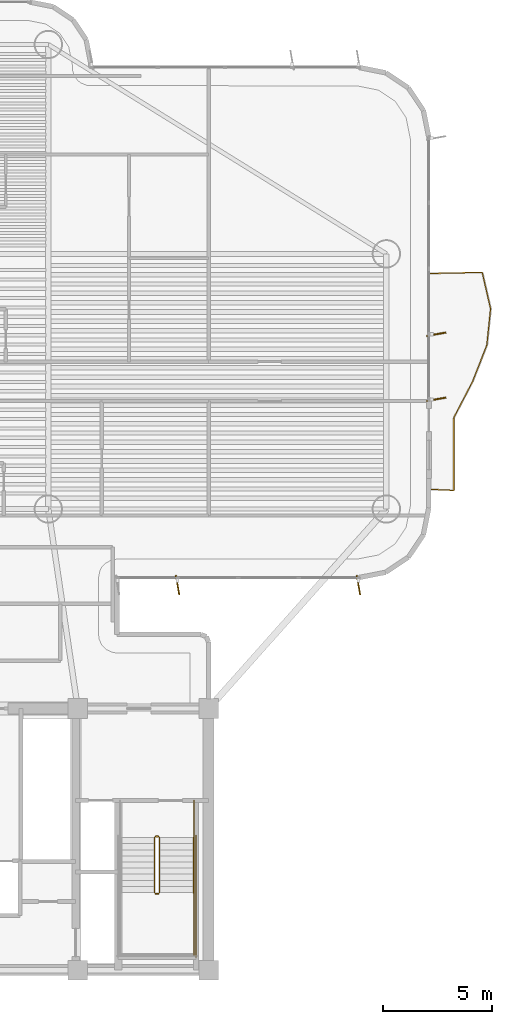
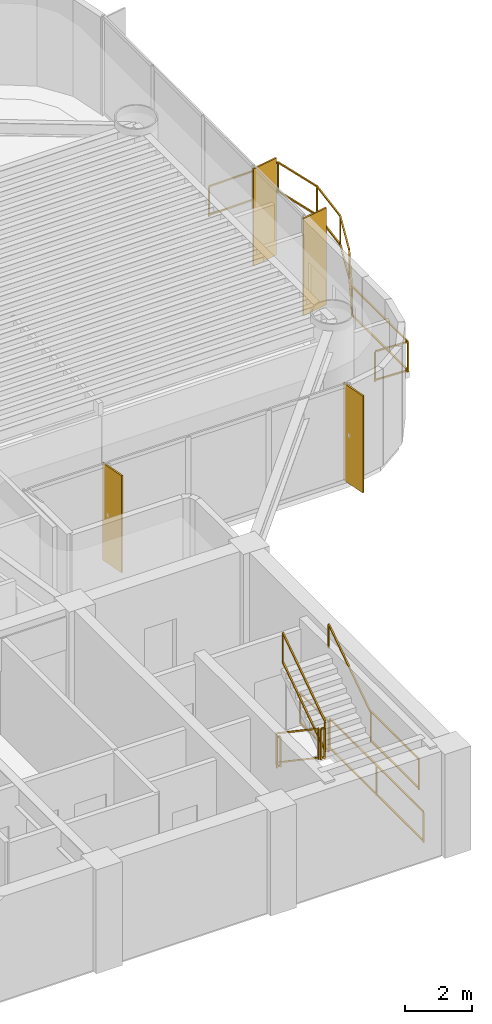
# One storey, part 16 of 17: 9 railings, 4 shading devices.
"""IFC4 building model written with IfcOpenShell, lengths in metres."""

import ifcopenshell
import ifcopenshell.guid

model = None  # the IFC model being written
_history = None  # IfcOwnerHistory: only IFC2X3 demands one
_inside = {}  # id of a spatial element -> (the spatial element, [elements in it])
_under = {}  # id of a project, library or spatial element -> (it, [spatial elements below it])
_declared = {}  # id of a project -> (the project, [libraries it declares])
_typed = {}  # id of a type object -> (the type object, [elements of that type])
_made_of = {}  # id of a material, layer set ... -> (it, [elements and type objects made of it])


def new_model(schema):
    """Start an empty IFC model of exactly this schema.

    Asked for "IFC4X3", IfcOpenShell would pick the latest addendum, in which some entities
    have other attributes; the version numbers below select the first issue.
    IFC2X3 requires an IfcOwnerHistory on every rooted entity: one is made here for all.
    """
    global model, _history
    if schema == "IFC4X3":
        model = ifcopenshell.file(schema_version=(4, 3, 0, 0))
    else:
        model = ifcopenshell.file(schema=schema)
    _inside.clear()
    _under.clear()
    _declared.clear()
    _typed.clear()
    _made_of.clear()
    _history = None
    if model.schema == "IFC2X3":
        org = make("IfcOrganization", Name="unknown")
        user = make(
            "IfcPersonAndOrganization",
            ThePerson=make("IfcPerson", FamilyName="unknown"),
            TheOrganization=org,
        )
        app = make(
            "IfcApplication",
            ApplicationDeveloper=org,
            Version="unknown",
            ApplicationFullName="unknown",
            ApplicationIdentifier="unknown",
        )
        _history = make(
            "IfcOwnerHistory",
            OwningUser=user,
            OwningApplication=app,
            ChangeAction="ADDED",
            CreationDate=0,
        )
    return model


def make(cls, **values):
    """One entity of the class cls with the attributes given. An attribute that is None is left unset."""
    return model.create_entity(
        cls, **{name: value for name, value in values.items() if value is not None}
    )


def rooted(cls, **values):
    """An entity with a GlobalId (a new one), such as an element, a storey or a relation."""
    return make(cls, GlobalId=ifcopenshell.guid.new(), OwnerHistory=_history, **values)


def si_unit(unit_type, name, prefix=None):
    """IfcSIUnit, for example si_unit("LENGTHUNIT", "METRE", prefix="MILLI")."""
    return make("IfcSIUnit", UnitType=unit_type, Prefix=prefix, Name=name)


def assignment(units):
    """IfcUnitAssignment: the units of a project."""
    return None if units is None else make("IfcUnitAssignment", Units=units)


def point(xyz):
    """IfcCartesianPoint."""
    return None if xyz is None else make("IfcCartesianPoint", Coordinates=xyz)


def direction(xyz):
    """IfcDirection."""
    return None if xyz is None else make("IfcDirection", DirectionRatios=xyz)


def frame(location, z_axis=None, x_axis=None):
    """IfcAxis2Placement3D, a coordinate frame: its origin and axes. An axis left out is left unset."""
    return make(
        "IfcAxis2Placement3D",
        Location=point(location),
        Axis=direction(z_axis),
        RefDirection=direction(x_axis),
    )


def frame_2d(location, x_axis=None):
    """IfcAxis2Placement2D, a coordinate frame in the plane: its origin and x axis."""
    return make(
        "IfcAxis2Placement2D", Location=point(location), RefDirection=direction(x_axis)
    )


def origin():
    """The frame at (0, 0, 0) with its axes left unset."""
    return frame((0.0, 0.0, 0.0))


def origin_2d():
    """The frame at (0, 0) in the plane with its x axis left unset."""
    return frame_2d((0.0, 0.0))


def place(relative_to, where):
    """IfcLocalPlacement: puts the frame where relative to a parent placement (None: the world)."""
    return make(
        "IfcLocalPlacement", PlacementRelTo=relative_to, RelativePlacement=where
    )


def context(
    kind, dimensions, precision=None, world=None, true_north=None, identifier=None
):
    """IfcGeometricRepresentationContext, for example the 3D "Model" context."""
    return make(
        "IfcGeometricRepresentationContext",
        ContextIdentifier=identifier,
        ContextType=kind,
        CoordinateSpaceDimension=dimensions,
        Precision=precision,
        WorldCoordinateSystem=world,
        TrueNorth=true_north,
    )


def subcontext(parent, identifier, kind, view, scale=None):
    """IfcGeometricRepresentationSubContext, for example "Body" below "Model"."""
    return make(
        "IfcGeometricRepresentationSubContext",
        ContextIdentifier=identifier,
        ContextType=kind,
        ParentContext=parent,
        TargetScale=scale,
        TargetView=view,
    )


def project(units=None, contexts=None):
    """IfcProject with its units and contexts."""
    return rooted(
        "IfcProject",
        Name="project",
        RepresentationContexts=contexts,
        UnitsInContext=assignment(units),
    )


def spatial(cls, under=None, at=None, **own):
    """A site, building, storey or space (cls), placed at a placement, below another one or the project."""
    s = rooted(cls, ObjectPlacement=at, **own)
    if under is not None:
        _under.setdefault(under.id(), (under, []))[1].append(s)
    return s


def profile(cls, at=None, kind="AREA", **sizes):
    """A parametric profile (cls). Its sizes go by their IFC names, for example OverallWidth=200.0."""
    return make(cls, ProfileType=kind, Position=at, **sizes)


def rectangle(**sizes):
    """IfcRectangleProfileDef."""
    return profile("IfcRectangleProfileDef", **sizes)


def extrude(swept, where, along, depth):
    """IfcExtrudedAreaSolid: the profile swept, set in the frame where, extruded along a direction by depth."""
    return make(
        "IfcExtrudedAreaSolid",
        SweptArea=swept,
        Position=where,
        ExtrudedDirection=direction(along),
        Depth=depth,
    )


def shape(context_of_items, identifier, shape_type, items):
    """IfcShapeRepresentation: the items that make up one representation, for example the "Body"."""
    return make(
        "IfcShapeRepresentation",
        ContextOfItems=context_of_items,
        RepresentationIdentifier=identifier,
        RepresentationType=shape_type,
        Items=items,
    )


def source(mapping_origin, context_of_items, identifier, shape_type, items):
    """IfcRepresentationMap: a shape defined once, which mapped items show again and again."""
    return make(
        "IfcRepresentationMap",
        MappingOrigin=mapping_origin,
        MappedRepresentation=shape(context_of_items, identifier, shape_type, items),
    )


def transform(
    local_origin,
    x_axis=None,
    y_axis=None,
    z_axis=None,
    scale=None,
    scale2=None,
    scale3=None,
    uniform=True,
):
    """IfcCartesianTransformationOperator3D, or its non-uniform kind. x_axis, y_axis, z_axis: its Axis1, 2, 3."""
    if uniform:
        return make(
            "IfcCartesianTransformationOperator3D",
            Axis1=direction(x_axis),
            Axis2=direction(y_axis),
            LocalOrigin=point(local_origin),
            Scale=scale,
            Axis3=direction(z_axis),
        )
    return make(
        "IfcCartesianTransformationOperator3DnonUniform",
        Axis1=direction(x_axis),
        Axis2=direction(y_axis),
        LocalOrigin=point(local_origin),
        Scale=scale,
        Axis3=direction(z_axis),
        Scale2=scale2,
        Scale3=scale3,
    )


def mapped(mapping_source, mapping_target):
    """IfcMappedItem: shows the shape of a source again, moved by a transform."""
    return make(
        "IfcMappedItem", MappingSource=mapping_source, MappingTarget=mapping_target
    )


def material(Name=None, Category=None):
    """IfcMaterial."""
    return make("IfcMaterial", Name=Name, Category=Category)


def layer(
    of_material, thickness, ventilated=None, Name=None, Category=None, Priority=None
):
    """IfcMaterialLayer: one layer of a wall or slab, of a material (None: an air gap)."""
    return make(
        "IfcMaterialLayer",
        Material=of_material,
        LayerThickness=thickness,
        IsVentilated=ventilated,
        Name=Name,
        Category=Category,
        Priority=Priority,
    )


def layer_set(layers, Name=None):
    """IfcMaterialLayerSet."""
    return make("IfcMaterialLayerSet", MaterialLayers=layers, LayerSetName=Name)


def material_profile(
    of_material, cross_section, Name=None, Category=None, Priority=None
):
    """IfcMaterialProfile: a cross section and its material."""
    return make(
        "IfcMaterialProfile",
        Name=Name,
        Material=of_material,
        Profile=cross_section,
        Priority=Priority,
        Category=Category,
    )


def profile_set(profiles, Name=None, composite=None):
    """IfcMaterialProfileSet."""
    return make(
        "IfcMaterialProfileSet",
        Name=Name,
        MaterialProfiles=profiles,
        CompositeProfile=composite,
    )


def made_of(thing, what):
    """Note that an element or type object is made of a material, layer set ...; save() writes the relation."""
    if what is not None:
        _made_of.setdefault(what.id(), (what, []))[1].append(thing)
    return thing


def type_object(cls, material=None, **own):
    """A type object (cls), such as IfcWallType, which elements share."""
    return made_of(rooted(cls, **own), material)


def element(
    cls,
    number,
    at=None,
    inside=None,
    cuts=None,
    type_object=None,
    material=None,
    context=None,
    identifier="Body",
    shape_type=None,
    held_by="IfcProductDefinitionShape",
    body=None,
    shapes=None,
    **own,
):
    """One element of the class cls, such as IfcWall. Its Tag is "e" and its number.

    at: its placement. inside: the storey or other place that contains it. cuts: it is an
    opening in that element (IfcRelVoidsElement). A single representation is given by context,
    identifier, shape_type and body (its items); several are given by shapes. held_by: the class
    of the entity that holds the representations. save() writes the other relations.
    """
    e = rooted(cls, Tag="e%d" % number, ObjectPlacement=at, **own)
    if body is not None:
        shapes = [shape(context, identifier, shape_type, body)]
    if shapes is not None:
        e.Representation = make(held_by, Representations=shapes)
    if inside is not None:
        _inside.setdefault(inside.id(), (inside, []))[1].append(e)
    if cuts is not None:
        rooted(
            "IfcRelVoidsElement", RelatingBuildingElement=cuts, RelatedOpeningElement=e
        )
    if type_object is not None:
        _typed.setdefault(type_object.id(), (type_object, []))[1].append(e)
    return made_of(e, material)


def aggregate(whole, parts):
    """IfcRelAggregates: a whole, such as a stair, and the parts it consists of."""
    return rooted("IfcRelAggregates", RelatingObject=whole, RelatedObjects=parts)


def save(model, path):
    """Write the relations noted so far, then the file.

    IfcRelAggregates (storeys below a building ...), IfcRelContainedInSpatialStructure (elements
    in a storey), IfcRelDefinesByType, IfcRelAssociatesMaterial and IfcRelDeclares: one each for
    every whole, place, type object, material and project.
    """
    for whole, parts in _under.values():
        aggregate(whole, parts)
    for where, things in _inside.values():
        rooted(
            "IfcRelContainedInSpatialStructure",
            RelatedElements=things,
            RelatingStructure=where,
        )
    for kind, things in _typed.values():
        rooted("IfcRelDefinesByType", RelatedObjects=things, RelatingType=kind)
    for what, things in _made_of.values():
        rooted("IfcRelAssociatesMaterial", RelatedObjects=things, RelatingMaterial=what)
    for by, libraries in _declared.values():
        rooted("IfcRelDeclares", RelatingContext=by, RelatedDefinitions=libraries)
    model.write(path)


model = new_model("IFC4")

# Units and contexts
model_context = context("Model", 3, precision=1e-05, world=origin(), true_north=direction((0.0, 1.0)))
body_context = subcontext(model_context, "Body", "Model", "MODEL_VIEW")
ifc_project = project(units=[si_unit("LENGTHUNIT", "METRE"), si_unit("AREAUNIT", "SQUARE_METRE"), si_unit("VOLUMEUNIT", "CUBIC_METRE"), si_unit("PLANEANGLEUNIT", "RADIAN"), si_unit("MASSUNIT", "GRAM", prefix="KILO")], contexts=[model_context])

# Site, building, storey
site_placement = place(None, origin())
site = spatial("IfcSite", under=ifc_project, at=site_placement, CompositionType="ELEMENT")
building_placement = place(site_placement, origin())
building = spatial("IfcBuilding", under=site, at=building_placement, Name="Brelvock Crest Care Tower", CompositionType="ELEMENT")
storey_placement = place(building_placement, frame((0.0, 0.0, 93.60009765625)))
storey = spatial("IfcBuildingStorey", under=building, at=storey_placement, Name="L23", CompositionType="ELEMENT", Elevation=93.60009765625)

# Railings
ifc_material_1 = material(Name="Dark Glass Double Glazed Low-E", Category="glass")
ifc_layer_1 = layer(ifc_material_1, 0.06005859375, Name="RL-BAL1")
ifc_layer_set_1 = layer_set([ifc_layer_1], Name="Dark Glass Double Glazed Low-E")
railing_type_1 = type_object("IfcRailingType", Name="RL-BAL1", PredefinedType="BALUSTRADE", material=ifc_layer_set_1)
railing_1_placement = place(storey_placement, frame((58.139892578125, 28.050048828125, 0.00390625)))
element("IfcRailing", 1, at=railing_1_placement, inside=storey, type_object=railing_type_1, Name="L23 Safety Balustrade WB-E", PredefinedType="BALUSTRADE", context=body_context, shape_type="SweptSolid", body=[
    extrude(rectangle(XDim=0.048095703125, YDim=0.048095703125, at=origin_2d()), frame((0.001953125, 0.0, 1.09619140625), z_axis=(0.998966710972, -0.045447886318, 0.0), x_axis=(0.045447886318, 0.998966710972, 0.0)), (0.0, 0.0, 1.0), 1.09716796875),
    extrude(rectangle(XDim=0.048095703125, YDim=0.048095703125, at=origin_2d()), frame((0.001953125, 0.0, 0.054931640625), z_axis=(0.998966710972, -0.045447886318, 0.0), x_axis=(0.045447886318, 0.998966710972, 0.0)), (0.0, 0.0, 1.0), 1.09716796875),
    extrude(rectangle(XDim=0.048095703125, YDim=0.048095703125, at=origin_2d()), frame((1.10009765625, -0.048095703125, 1.09619140625), z_axis=(0.00014648795, 0.999999989271, 0.0), x_axis=(-0.999999989271, 0.00014648795, 0.0)), (0.0, 0.0, 1.0), 3.329345703125),
    extrude(rectangle(XDim=0.048095703125, YDim=0.048095703125, at=origin_2d()), frame((1.10009765625, -0.048095703125, 0.054931640625), z_axis=(0.00014648795, 0.999999989271, 0.0), x_axis=(-0.999999989271, 0.00014648795, 0.0)), (0.0, 0.0, 1.0), 3.329345703125),
    extrude(rectangle(XDim=0.048095703125, YDim=0.048095703125, at=origin_2d()), frame((1.1015625, 3.284912109375, 1.09619140625), z_axis=(0.46114401417, 0.887325305733, 0.0), x_axis=(-0.887325305733, 0.46114401417, 0.0)), (0.0, 0.0, 1.0), 1.87451171875),
    extrude(rectangle(XDim=0.048095703125, YDim=0.048095703125, at=origin_2d()), frame((1.1015625, 3.284912109375, 0.054931640625), z_axis=(0.46114401417, 0.887325305733, 0.0), x_axis=(-0.887325305733, 0.46114401417, 0.0)), (0.0, 0.0, 1.0), 1.87451171875),
    extrude(rectangle(XDim=0.048095703125, YDim=0.048095703125, at=origin_2d()), frame((1.967529296875, 4.951904296875, 1.09619140625), z_axis=(0.364466206994, 0.93121661495, 0.0), x_axis=(-0.93121661495, 0.364466206994, 0.0)), (0.0, 0.0, 1.0), 1.785888671875),
    extrude(rectangle(XDim=0.048095703125, YDim=0.048095703125, at=origin_2d()), frame((1.967529296875, 4.951904296875, 0.054931640625), z_axis=(0.364466206994, 0.93121661495, 0.0), x_axis=(-0.93121661495, 0.364466206994, 0.0)), (0.0, 0.0, 1.0), 1.785888671875),
    extrude(rectangle(XDim=0.048095703125, YDim=0.048095703125, at=origin_2d()), frame((2.619384765625, 6.61865234375, 1.09619140625), z_axis=(0.101148651987, 0.994871323439, 0.0), x_axis=(-0.994871323439, 0.101148651987, 0.0)), (0.0, 0.0, 1.0), 1.671142578125),
    extrude(rectangle(XDim=0.048095703125, YDim=0.048095703125, at=origin_2d()), frame((2.619384765625, 6.61865234375, 0.054931640625), z_axis=(0.101148651987, 0.994871323439, 0.0), x_axis=(-0.994871323439, 0.101148651987, 0.0)), (0.0, 0.0, 1.0), 1.671142578125),
    extrude(rectangle(XDim=0.048095703125, YDim=0.048095703125, at=origin_2d()), frame((2.7880859375, 8.28515625, 1.09619140625), z_axis=(-0.22439035679, 0.974499342114, 0.0), x_axis=(-0.974499342114, -0.22439035679, 0.0)), (0.0, 0.0, 1.0), 1.706298828125),
    extrude(rectangle(XDim=0.048095703125, YDim=0.048095703125, at=origin_2d()), frame((2.7880859375, 8.28515625, 0.054931640625), z_axis=(-0.22439035679, 0.974499342114, 0.0), x_axis=(-0.974499342114, -0.22439035679, 0.0)), (0.0, 0.0, 1.0), 1.706298828125),
    extrude(rectangle(XDim=0.048095703125, YDim=0.048095703125, at=origin_2d()), frame((2.40283203125, 9.949951171875, 1.09619140625), z_axis=(-0.999783496855, -0.020807676838, 0.0), x_axis=(0.020807676838, -0.999783496855, 0.0)), (0.0, 0.0, 1.0), 2.4013671875),
    extrude(rectangle(XDim=0.048095703125, YDim=0.048095703125, at=origin_2d()), frame((2.40283203125, 9.949951171875, 0.054931640625), z_axis=(-0.999783496855, -0.020807676838, 0.0), x_axis=(0.020807676838, -0.999783496855, 0.0)), (0.0, 0.0, 1.0), 2.4013671875),
    extrude(rectangle(XDim=0.0419921875, YDim=0.0419921875, at=origin_2d()), origin(), (0.0, 0.0, 1.0), 1.070068359375),
    extrude(rectangle(XDim=0.0419921875, YDim=0.0419921875, at=origin_2d()), frame((1.10009765625, -0.050048828125, 0.0)), (0.0, 0.0, 1.0), 1.070068359375),
    extrude(rectangle(XDim=0.0419921875, YDim=0.0419921875, at=origin_2d()), frame((1.1005859375, 3.283203125, 0.0)), (0.0, 0.0, 1.0), 1.070068359375),
    extrude(rectangle(XDim=0.0419921875, YDim=0.0419921875, at=origin_2d()), frame((1.966796875, 4.949951171875, 0.0)), (0.0, 0.0, 1.0), 1.070068359375),
    extrude(rectangle(XDim=0.0419921875, YDim=0.0419921875, at=origin_2d()), frame((2.619140625, 6.61669921875, 0.0)), (0.0, 0.0, 1.0), 1.070068359375),
    extrude(rectangle(XDim=0.0419921875, YDim=0.0419921875, at=origin_2d()), frame((2.78857421875, 8.283203125, 0.0)), (0.0, 0.0, 1.0), 1.070068359375),
    extrude(rectangle(XDim=0.0419921875, YDim=0.0419921875, at=origin_2d()), frame((2.40478515625, 9.949951171875, 0.0)), (0.0, 0.0, 1.0), 1.070068359375),
    extrude(rectangle(XDim=0.0419921875, YDim=0.0419921875, at=origin_2d()), frame((0.0, 9.89990234375, 0.0)), (0.0, 0.0, 1.0), 1.070068359375),
])
ifc_material_2 = material(Name="Steel Grade 350", Category="steel")
ifc_layer_2 = layer(ifc_material_2, 0.050048828125, Name="RL-STG1")
ifc_layer_set_2 = layer_set([ifc_layer_2], Name="Steel Grade 350")
railing_type_2 = type_object("IfcRailingType", Name="RL-STG1", PredefinedType="GUARDRAIL", material=ifc_layer_set_2)
railing_2_placement = place(storey_placement, frame((45.52001953125, 12.080078125, 0.18896484375)))
element("IfcRailing", 2, at=railing_2_placement, inside=storey, type_object=railing_type_2, Name="L23 ST-2 stair guard 1", PredefinedType="GUARDRAIL", context=body_context, shape_type="SweptSolid", body=[
    extrude(rectangle(XDim=0.048095703125, YDim=0.048095703125, at=origin_2d()), frame((0.0, -0.001708984375, 1.116943359375), z_axis=(0.0, -0.828861706735, 0.559453546873), x_axis=(1.0, 0.0, 0.0)), (0.0, 0.0, 1.0), 3.036376953125),
    extrude(rectangle(XDim=0.048095703125, YDim=0.048095703125, at=origin_2d()), frame((0.0, -0.001708984375, 0.05615234375), z_axis=(0.0, -0.828861706735, 0.559453546873), x_axis=(1.0, 0.0, 0.0)), (0.0, 0.0, 1.0), 3.036376953125),
    extrude(rectangle(XDim=0.0419921875, YDim=0.0419921875, at=origin_2d()), origin(), (0.0, 0.0, 1.0), 1.08984375),
    extrude(rectangle(XDim=0.0419921875, YDim=0.0419921875, at=origin_2d()), frame((0.0, -2.52001953125, 1.700927734375)), (0.0, 0.0, 1.0), 1.08984375),
])
railing_3_placement = place(storey_placement, frame((45.570068359375, 9.510009765625, 1.889892578125)))
element("IfcRailing", 3, at=railing_3_placement, inside=storey, type_object=railing_type_2, Name="L23 ST-2 stair guard 2", PredefinedType="GUARDRAIL", context=body_context, shape_type="SweptSolid", body=[
    extrude(rectangle(XDim=0.048095703125, YDim=0.048095703125, at=origin_2d()), frame((0.001953125, 0.0, 1.11572265625), z_axis=(1.0, 0.0, 0.0), x_axis=(0.0, 1.0, 0.0)), (0.0, 0.0, 1.0), 0.115966796875),
    extrude(rectangle(XDim=0.048095703125, YDim=0.048095703125, at=origin_2d()), frame((0.001953125, 0.0, 0.054931640625), z_axis=(1.0, 0.0, 0.0), x_axis=(0.0, 1.0, 0.0)), (0.0, 0.0, 1.0), 0.115966796875),
    extrude(rectangle(XDim=0.0419921875, YDim=0.0419921875, at=origin_2d()), origin(), (0.0, 0.0, 1.0), 1.08984375),
    extrude(rectangle(XDim=0.0419921875, YDim=0.0419921875, at=origin_2d()), frame((0.119873046875, 0.0, 0.0)), (0.0, 0.0, 1.0), 1.08984375),
])
railing_4_placement = place(storey_placement, frame((47.320068359375, 9.56005859375, 1.889892578125)))
element("IfcRailing", 4, at=railing_4_placement, inside=storey, type_object=railing_type_2, Name="L23 ST-2 stair guard 4", PredefinedType="GUARDRAIL", context=body_context, shape_type="SweptSolid", body=[
    extrude(rectangle(XDim=0.048095703125, YDim=0.048095703125, at=origin_2d()), frame((0.0, -0.001953125, 1.11572265625), z_axis=(0.0, -1.0, 0.0), x_axis=(1.0, 0.0, 0.0)), (0.0, 0.0, 1.0), 2.856201171875),
    extrude(rectangle(XDim=0.048095703125, YDim=0.048095703125, at=origin_2d()), frame((0.0, -0.001953125, 0.054931640625), z_axis=(0.0, -1.0, 0.0), x_axis=(1.0, 0.0, 0.0)), (0.0, 0.0, 1.0), 2.856201171875),
    extrude(rectangle(XDim=0.0419921875, YDim=0.0419921875, at=origin_2d()), origin(), (0.0, 0.0, 1.0), 1.08984375),
    extrude(rectangle(XDim=0.0419921875, YDim=0.0419921875, at=origin_2d()), frame((0.0, -2.860107421875, 0.0)), (0.0, 0.0, 1.0), 1.08984375),
])
railing_5_placement = place(storey_placement, frame((45.739990234375, 9.56005859375, 2.078857421875)))
element("IfcRailing", 5, at=railing_5_placement, inside=storey, type_object=railing_type_2, Name="L23 ST-2 stair guard 6", PredefinedType="GUARDRAIL", context=body_context, shape_type="SweptSolid", body=[
    extrude(rectangle(XDim=0.048095703125, YDim=0.048095703125, at=origin_2d()), frame((0.0, 0.001708984375, 1.116943359375), z_axis=(0.0, 0.828861706735, 0.559453546873), x_axis=(-1.0, 0.0, 0.0)), (0.0, 0.0, 1.0), 3.036376953125),
    extrude(rectangle(XDim=0.048095703125, YDim=0.048095703125, at=origin_2d()), frame((0.0, 0.001708984375, 0.05615234375), z_axis=(0.0, 0.828861706735, 0.559453546873), x_axis=(-1.0, 0.0, 0.0)), (0.0, 0.0, 1.0), 3.036376953125),
    extrude(rectangle(XDim=0.0419921875, YDim=0.0419921875, at=origin_2d()), origin(), (0.0, 0.0, 1.0), 1.08984375),
    extrude(rectangle(XDim=0.0419921875, YDim=0.0419921875, at=origin_2d()), frame((0.0, 2.52001953125, 1.700927734375)), (0.0, 0.0, 1.0), 1.08984375),
])
railing_6_placement = place(storey_placement, frame((45.570068359375, 12.1298828125, 0.0)))
element("IfcRailing", 6, at=railing_6_placement, inside=storey, type_object=railing_type_2, Name="L23 ST-2 stair guard 7", PredefinedType="GUARDRAIL", context=body_context, shape_type="SweptSolid", body=[
    extrude(rectangle(XDim=0.048095703125, YDim=0.048095703125, at=origin_2d()), frame((0.001953125, 0.0, 1.11572265625), z_axis=(1.0, 0.0, 0.0), x_axis=(0.0, 1.0, 0.0)), (0.0, 0.0, 1.0), 0.115966796875),
    extrude(rectangle(XDim=0.048095703125, YDim=0.048095703125, at=origin_2d()), frame((0.001953125, 0.0, 0.054931640625), z_axis=(1.0, 0.0, 0.0), x_axis=(0.0, 1.0, 0.0)), (0.0, 0.0, 1.0), 0.115966796875),
    extrude(rectangle(XDim=0.0419921875, YDim=0.0419921875, at=origin_2d()), origin(), (0.0, 0.0, 1.0), 1.08984375),
    extrude(rectangle(XDim=0.0419921875, YDim=0.0419921875, at=origin_2d()), frame((0.119873046875, 0.0, 0.0)), (0.0, 0.0, 1.0), 1.08984375),
])
railing_7_placement = place(storey_placement, frame((47.320068359375, 13.780029296875, 0.0)))
element("IfcRailing", 7, at=railing_7_placement, inside=storey, type_object=railing_type_2, Name="L23 ST-2 stair guard 9", PredefinedType="GUARDRAIL", context=body_context, shape_type="SweptSolid", body=[
    extrude(rectangle(XDim=0.048095703125, YDim=0.048095703125, at=origin_2d()), frame((0.0, -0.001953125, 1.11572265625), z_axis=(0.0, -1.0, 0.0), x_axis=(1.0, 0.0, 0.0)), (0.0, 0.0, 1.0), 1.696044921875),
    extrude(rectangle(XDim=0.048095703125, YDim=0.048095703125, at=origin_2d()), frame((0.0, -0.001953125, 0.054931640625), z_axis=(0.0, -1.0, 0.0), x_axis=(1.0, 0.0, 0.0)), (0.0, 0.0, 1.0), 1.696044921875),
    extrude(rectangle(XDim=0.0419921875, YDim=0.0419921875, at=origin_2d()), origin(), (0.0, 0.0, 1.0), 1.08984375),
    extrude(rectangle(XDim=0.0419921875, YDim=0.0419921875, at=origin_2d()), frame((0.0, -1.699951171875, 0.0)), (0.0, 0.0, 1.0), 1.08984375),
])
railing_8_placement = place(storey_placement, frame((47.419921875, 12.179931640625, 0.0)))
element("IfcRailing", 8, at=railing_8_placement, inside=storey, type_object=railing_type_2, Name="L23 ST-2 stair guard 11", PredefinedType="GUARDRAIL", context=body_context, shape_type="SweptSolid", body=[
    extrude(rectangle(XDim=0.048095703125, YDim=0.048095703125, at=origin_2d()), frame((0.0, -0.001953125, 1.11572265625), z_axis=(0.0, -1.0, 0.0), x_axis=(1.0, 0.0, 0.0)), (0.0, 0.0, 1.0), 5.575927734375),
    extrude(rectangle(XDim=0.048095703125, YDim=0.048095703125, at=origin_2d()), frame((0.0, -0.001953125, 0.054931640625), z_axis=(0.0, -1.0, 0.0), x_axis=(1.0, 0.0, 0.0)), (0.0, 0.0, 1.0), 5.575927734375),
    extrude(rectangle(XDim=0.0419921875, YDim=0.0419921875, at=origin_2d()), origin(), (0.0, 0.0, 1.0), 1.08984375),
    extrude(rectangle(XDim=0.0419921875, YDim=0.0419921875, at=origin_2d()), frame((0.0, -2.7900390625, 0.0)), (0.0, 0.0, 1.0), 1.08984375),
    extrude(rectangle(XDim=0.0419921875, YDim=0.0419921875, at=origin_2d()), frame((0.0, -5.579833984375, 0.0)), (0.0, 0.0, 1.0), 1.08984375),
])
ifc_layer_3 = layer(ifc_material_2, 0.048095703125, Name="RL-STH1")
ifc_layer_set_3 = layer_set([ifc_layer_3], Name="Steel Grade 350")
railing_type_3 = type_object("IfcRailingType", Name="RL-STH1", PredefinedType="HANDRAIL", material=ifc_layer_set_3)
railing_9_placement = place(storey_placement, frame((47.320068359375, 9.56005859375, 2.078857421875)))
element("IfcRailing", 9, at=railing_9_placement, inside=storey, type_object=railing_type_3, Name="L23 ST-2 stair handrail 2", PredefinedType="HANDRAIL", context=body_context, shape_type="SweptSolid", body=[
    extrude(rectangle(XDim=0.048095703125, YDim=0.048095703125, at=origin_2d()), frame((0.0, 0.001708984375, 0.876953125), z_axis=(0.0, 0.828861706735, 0.559453546873), x_axis=(-1.0, 0.0, 0.0)), (0.0, 0.0, 1.0), 3.036376953125),
    extrude(rectangle(XDim=0.0419921875, YDim=0.0419921875, at=origin_2d()), origin(), (0.0, 0.0, 1.0), 0.849853515625),
    extrude(rectangle(XDim=0.0419921875, YDim=0.0419921875, at=origin_2d()), frame((0.0, 2.52001953125, 1.700927734375)), (0.0, 0.0, 1.0), 0.849853515625),
])

# Shading devices
ifc_material_3 = material(Name="Aluminium 6063-T6", Category="aluminium")
ifc_material_profile = material_profile(ifc_material_3, rectangle(XDim=0.054931640625, YDim=0.89990234375, at=origin_2d()), Name="FIN55x900")
ifc_profile_set = profile_set([ifc_material_profile], Name="Aluminium 6063-T6")
shading_device_type = type_object("IfcShadingDeviceType", Name="SHD-FIN1", PredefinedType="USERDEFINED", material=ifc_profile_set)
shared_shape = source(origin(), body_context, "Body", "SweptSolid", [
    extrude(rectangle(XDim=0.054931640625, YDim=0.89990234375, at=origin_2d()), origin(), (0.0, 0.0, 1.0), 3.52978515625),
])
for number, where, z_axis, x_axis, name in (
    (10, (58.43994140625, 35.16259765625, 0.0), (0.0, 0.0, 1.0), (0.173648177667, -0.984807753012, 0.0), "L23 Vertical Sunshade Fin E39A-04"),
    (11, (58.43994140625, 32.179931640625, 0.0), (0.0, 0.0, 1.0), (0.173648177667, -0.984807753012, 0.0), "L23 Vertical Sunshade Fin E39A-05"),
    (12, (54.8701171875, 23.659912109375, 0.0), (0.0, 0.0, 1.0), (-0.984807753012, -0.173648177667, 0.0), "L23 Vertical Sunshade Fin E44-01"),
    (13, (46.574951171875, 23.659912109375, 0.0), (0.0, 0.0, 1.0), (-0.984807753012, -0.173648177667, 0.0), "L23 Vertical Sunshade Fin E44-04"),
):
    element("IfcShadingDevice", number, at=place(storey_placement, frame(where, z_axis=z_axis, x_axis=x_axis)), inside=storey, type_object=shading_device_type, Name=name, ObjectType="FIN", PredefinedType="USERDEFINED", context=body_context, shape_type="MappedRepresentation", body=[
        mapped(shared_shape, transform((0.0, 0.0, 0.0), x_axis=(1.0, 0.0, 0.0), y_axis=(0.0, 1.0, 0.0), z_axis=(0.0, 0.0, 1.0), scale=1.0)),
    ])

save(model, "model.ifc")
